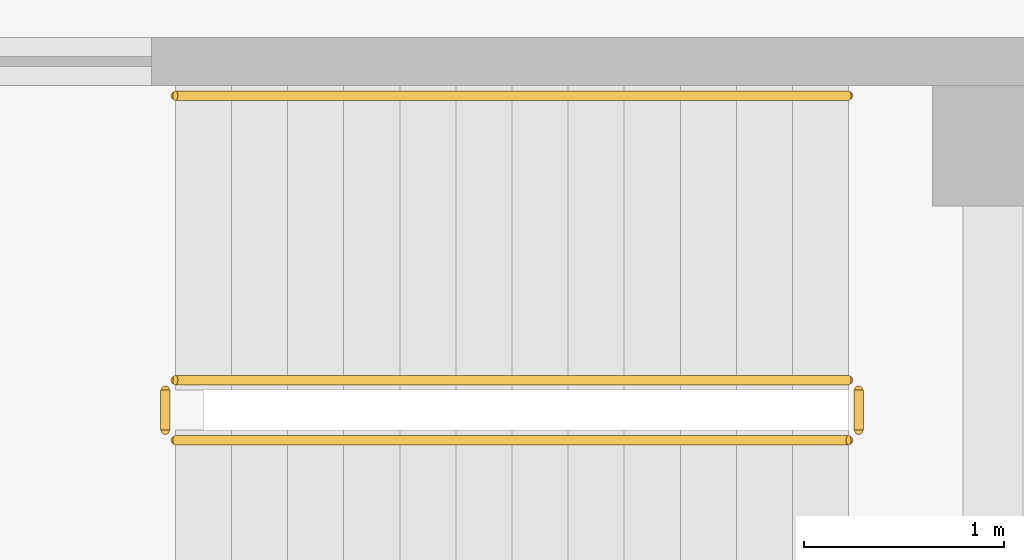
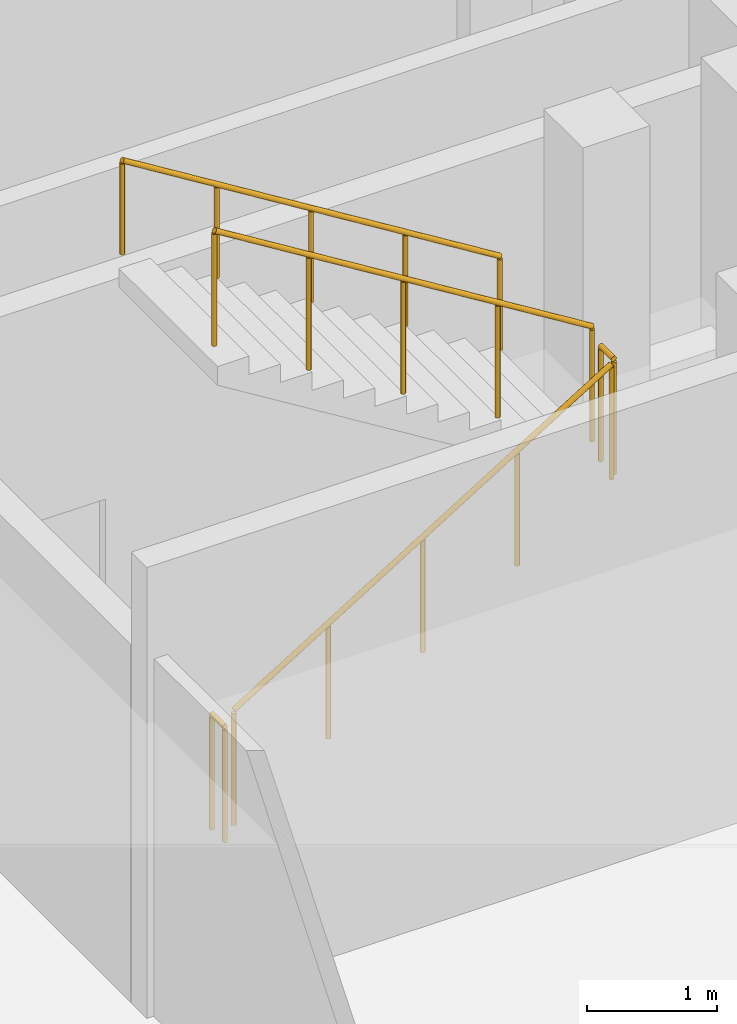
# One storey, part 59 of 67: 5 railings.
"""IFC4 building model written with IfcOpenShell, lengths in metres."""

from ifc_helpers import new_model, si_unit, direction, frame, origin, origin_2d, place, context, subcontext, project, spatial, circle, extrude, material, type_object, element, save


model = new_model("IFC4")

# Units and contexts
model_context = context("Model", 3, precision=1e-05, world=origin(), true_north=direction((0.0, 1.0)))
body_context = subcontext(model_context, "Body", "Model", "MODEL_VIEW")
ifc_project = project(units=[si_unit("LENGTHUNIT", "METRE"), si_unit("AREAUNIT", "SQUARE_METRE"), si_unit("VOLUMEUNIT", "CUBIC_METRE"), si_unit("PLANEANGLEUNIT", "RADIAN"), si_unit("MASSUNIT", "GRAM", prefix="KILO")], contexts=[model_context])

# Site, building, storey
site_placement = place(None, origin())
site = spatial("IfcSite", under=ifc_project, at=site_placement, CompositionType="ELEMENT")
building_placement = place(site_placement, origin())
building = spatial("IfcBuilding", under=site, at=building_placement, Name="Tarnveldt Square Police Headquarters", CompositionType="ELEMENT")
storey_placement = place(building_placement, frame((0.0, 0.0, 10.199951171875)))
storey = spatial("IfcBuildingStorey", under=building, at=storey_placement, Name="L02", CompositionType="ELEMENT", Elevation=10.199951171875)

# Railings
ifc_material = material(Name="Steel 350W", Category="steel")
railing_type_1 = type_object("IfcRailingType", Name="RL-GR-1100", PredefinedType="GUARDRAIL", material=ifc_material)
railing_1_placement = place(storey_placement, frame((26.169921875, 27.050048828125, 0.173095703125)))
element("IfcRailing", 1, at=railing_1_placement, inside=storey, type_object=railing_type_1, Name="L02 ST6 stair guard 1", PredefinedType="GUARDRAIL", context=body_context, shape_type="SweptSolid", body=[
    extrude(circle(Radius=0.02392578125, at=origin_2d()), frame((0.0, 0.0, 1.076171875), z_axis=(0.850623216509, 0.0, 0.525775754039), x_axis=(0.0, 1.0, 0.0)), (0.0, 0.0, 1.0), 3.9501953125),
    extrude(circle(Radius=0.02099609375, at=origin_2d()), origin(), (0.0, 0.0, 1.0), 1.052001953125),
    extrude(circle(Radius=0.02099609375, at=origin_2d()), frame((0.840087890625, 0.0, 0.519287109375)), (0.0, 0.0, 1.0), 1.052001953125),
    extrude(circle(Radius=0.02099609375, at=origin_2d()), frame((1.68017578125, 0.0, 1.03857421875)), (0.0, 0.0, 1.0), 1.052001953125),
    extrude(circle(Radius=0.02099609375, at=origin_2d()), frame((2.52001953125, 0.0, 1.5576171875)), (0.0, 0.0, 1.0), 1.052001953125),
    extrude(circle(Radius=0.02099609375, at=origin_2d()), frame((3.360107421875, 0.0, 2.076904296875)), (0.0, 0.0, 1.0), 1.052001953125),
])
railing_2_placement = place(storey_placement, frame((29.580078125, 27.10009765625, 2.25)))
element("IfcRailing", 2, at=railing_2_placement, inside=storey, type_object=railing_type_1, Name="L02 ST6 stair guard 2", PredefinedType="GUARDRAIL", context=body_context, shape_type="SweptSolid", body=[
    extrude(circle(Radius=0.02392578125, at=origin_2d()), frame((0.0, 0.0, 1.076171875), z_axis=(0.0, 1.0, 0.0), x_axis=(-1.0, 0.0, 0.0)), (0.0, 0.0, 1.0), 0.199951171875),
    extrude(circle(Radius=0.02099609375, at=origin_2d()), origin(), (0.0, 0.0, 1.0), 1.052001953125),
    extrude(circle(Radius=0.02099609375, at=origin_2d()), frame((0.0, 0.199951171875, 0.0)), (0.0, 0.0, 1.0), 1.052001953125),
])
railing_3_placement = place(storey_placement, frame((29.530029296875, 27.35009765625, 2.423095703125)))
element("IfcRailing", 3, at=railing_3_placement, inside=storey, type_object=railing_type_1, Name="L02 ST6 stair guard 3", PredefinedType="GUARDRAIL", context=body_context, shape_type="SweptSolid", body=[
    extrude(circle(Radius=0.02392578125, at=origin_2d()), frame((0.0, 0.0, 1.076171875), z_axis=(-0.850623216509, 0.0, 0.525775754039), x_axis=(0.0, -1.0, 0.0)), (0.0, 0.0, 1.0), 3.9501953125),
    extrude(circle(Radius=0.02099609375, at=origin_2d()), origin(), (0.0, 0.0, 1.0), 1.052001953125),
    extrude(circle(Radius=0.02099609375, at=origin_2d()), frame((-0.840087890625, 0.0, 0.519287109375)), (0.0, 0.0, 1.0), 1.052001953125),
    extrude(circle(Radius=0.02099609375, at=origin_2d()), frame((-1.68017578125, 0.0, 1.03857421875)), (0.0, 0.0, 1.0), 1.052001953125),
    extrude(circle(Radius=0.02099609375, at=origin_2d()), frame((-2.52001953125, 0.0, 1.5576171875)), (0.0, 0.0, 1.0), 1.052001953125),
    extrude(circle(Radius=0.02099609375, at=origin_2d()), frame((-3.360107421875, 0.0, 2.076904296875)), (0.0, 0.0, 1.0), 1.052001953125),
])
railing_4_placement = place(storey_placement, frame((26.1201171875, 27.10009765625, 0.0)))
element("IfcRailing", 4, at=railing_4_placement, inside=storey, type_object=railing_type_1, Name="L02 ST6 stair guard 4", PredefinedType="GUARDRAIL", context=body_context, shape_type="SweptSolid", body=[
    extrude(circle(Radius=0.02392578125, at=origin_2d()), frame((0.0, 0.0, 1.076171875), z_axis=(0.0, 1.0, 0.0), x_axis=(-1.0, 0.0, 0.0)), (0.0, 0.0, 1.0), 0.199951171875),
    extrude(circle(Radius=0.02099609375, at=origin_2d()), origin(), (0.0, 0.0, 1.0), 1.052001953125),
    extrude(circle(Radius=0.02099609375, at=origin_2d()), frame((0.0, 0.199951171875, 0.0)), (0.0, 0.0, 1.0), 1.052001953125),
])
railing_type_2 = type_object("IfcRailingType", Name="RL-HR-900", PredefinedType="HANDRAIL", material=ifc_material)
railing_5_placement = place(storey_placement, frame((29.530029296875, 28.77001953125, 2.423095703125)))
element("IfcRailing", 5, at=railing_5_placement, inside=storey, type_object=railing_type_2, Name="L02 ST6 stair handrail 2", PredefinedType="HANDRAIL", context=body_context, shape_type="SweptSolid", body=[
    extrude(circle(Radius=0.02392578125, at=origin_2d()), frame((0.0, 0.0, 0.8759765625), z_axis=(-0.850623216509, 0.0, 0.525775754039), x_axis=(0.0, -1.0, 0.0)), (0.0, 0.0, 1.0), 3.9501953125),
    extrude(circle(Radius=0.02099609375, at=origin_2d()), origin(), (0.0, 0.0, 1.0), 0.851806640625),
    extrude(circle(Radius=0.02099609375, at=origin_2d()), frame((-0.840087890625, 0.0, 0.519287109375)), (0.0, 0.0, 1.0), 0.851806640625),
    extrude(circle(Radius=0.02099609375, at=origin_2d()), frame((-1.68017578125, 0.0, 1.03857421875)), (0.0, 0.0, 1.0), 0.851806640625),
    extrude(circle(Radius=0.02099609375, at=origin_2d()), frame((-2.52001953125, 0.0, 1.5576171875)), (0.0, 0.0, 1.0), 0.851806640625),
    extrude(circle(Radius=0.02099609375, at=origin_2d()), frame((-3.360107421875, 0.0, 2.076904296875)), (0.0, 0.0, 1.0), 0.851806640625),
])

save(model, "model.ifc")
